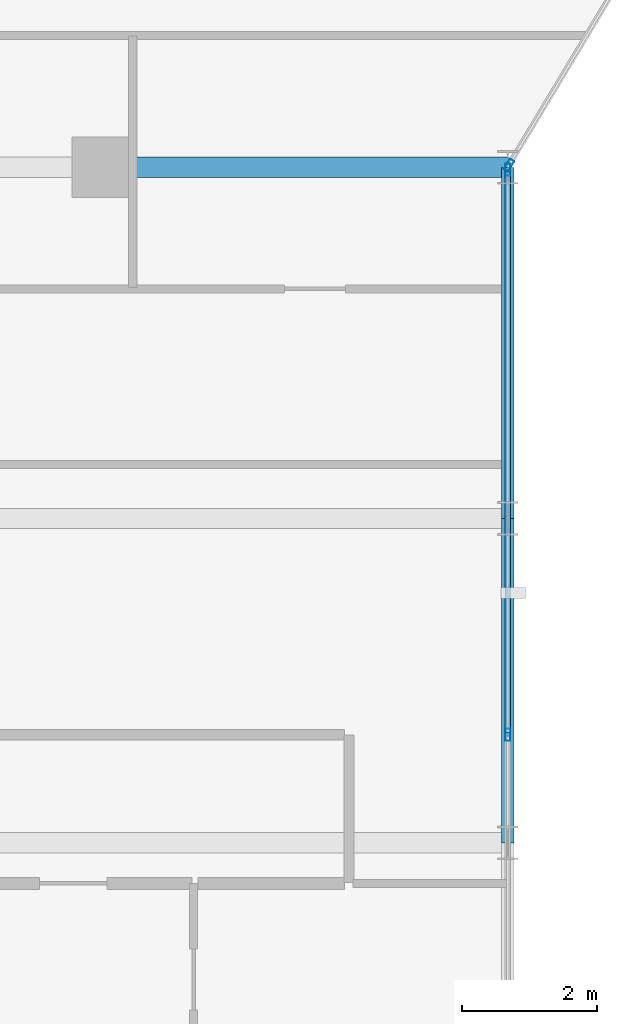
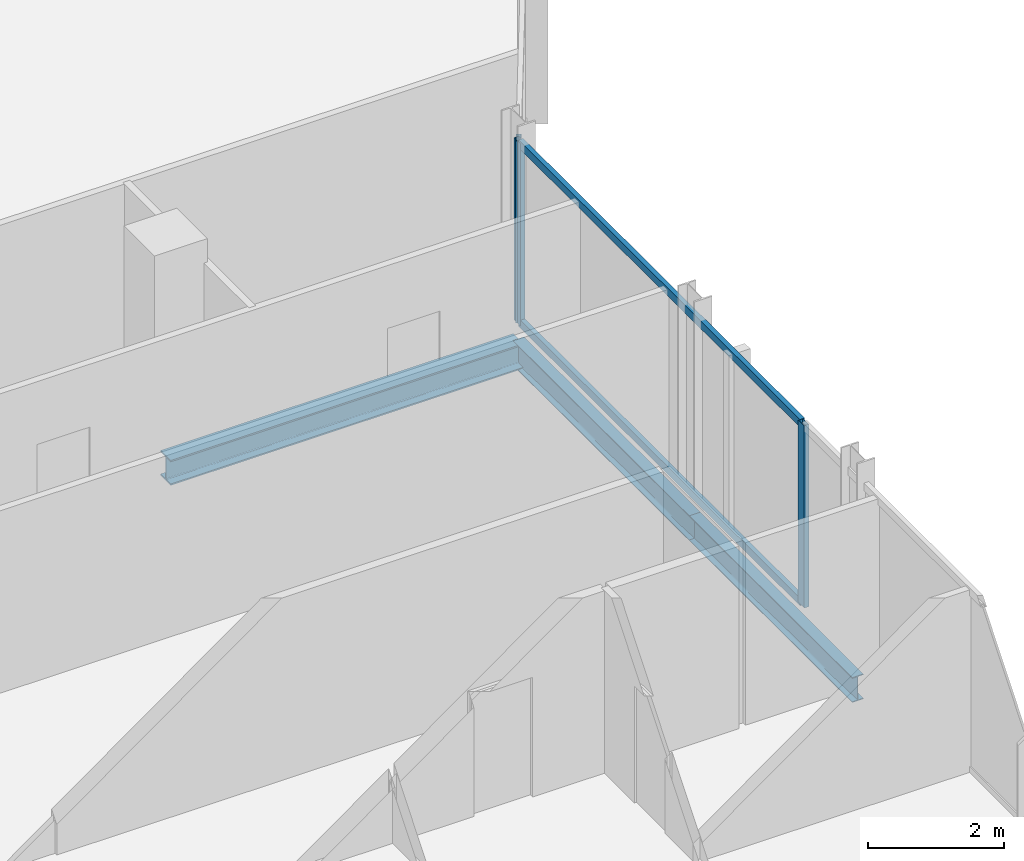
# One storey, part 13 of 31: 5 members, 3 beams, 2 elements without a shape of their own.
"""IFC4 building model written with IfcOpenShell, lengths in metres."""

from ifc_helpers import new_model, si_unit, direction, frame, origin, origin_2d, place, context, subcontext, project, spatial, hollow_rectangle, i_section, extrude, material, layer, layer_set, material_profile, profile_set, type_object, element, aggregate, save


model = new_model("IFC4")

# Units and contexts
model_context = context("Model", 3, precision=1e-05, world=origin(), true_north=direction((0.0, 1.0)))
body_context = subcontext(model_context, "Body", "Model", "MODEL_VIEW")
ifc_project = project(units=[si_unit("LENGTHUNIT", "METRE"), si_unit("AREAUNIT", "SQUARE_METRE"), si_unit("VOLUMEUNIT", "CUBIC_METRE"), si_unit("PLANEANGLEUNIT", "RADIAN"), si_unit("MASSUNIT", "GRAM", prefix="KILO")], contexts=[model_context])

# Site, building, storey
site_placement = place(None, origin())
site = spatial("IfcSite", under=ifc_project, at=site_placement, CompositionType="ELEMENT")
building_placement = place(site_placement, origin())
building = spatial("IfcBuilding", under=site, at=building_placement, Name="Keshet Zoharim Tower", CompositionType="ELEMENT")
storey_placement = place(building_placement, frame((0.0, 0.0, 155.699951171875)))
storey = spatial("IfcBuildingStorey", under=building, at=storey_placement, Name="L38", CompositionType="ELEMENT", Elevation=155.699951171875)

# Beams
ifc_material_1 = material(Name="Steel S355", Category="steel")
ifc_material_profile_1 = material_profile(ifc_material_1, i_section(OverallWidth=0.18994140625, OverallDepth=0.449951171875, WebThickness=0.009521484375, FlangeThickness=0.0146484375, FilletRadius=0.02099609375, at=origin_2d()), Name="IPE450")
ifc_profile_set_1 = profile_set([ifc_material_profile_1], Name="Steel S355")
beam_type_1 = type_object("IfcBeamType", Name="BM-PRI-IP450", PredefinedType="BEAM", material=ifc_profile_set_1)
beam_1_placement = place(storey_placement, frame((57.0, 17.89990234375, -0.5400390625), z_axis=(0.0, 1.0, 0.0), x_axis=(-1.0, 0.0, 0.0)))
element("IfcBeam", 1, at=beam_1_placement, inside=storey, type_object=beam_type_1, Name="L38 Primary Girder Y-015", PredefinedType="BEAM", context=body_context, shape_type="SweptSolid", body=[
    extrude(i_section(OverallWidth=0.18994140625, OverallDepth=0.449951171875, WebThickness=0.009521484375, FlangeThickness=0.0146484375, FilletRadius=0.02099609375, at=origin_2d()), origin(), (0.0, 0.0, 1.0), 4.800048828125),
])
beam_2_placement = place(storey_placement, frame((57.0, 22.699951171875, -0.5400390625), z_axis=(0.0, 1.0, 0.0), x_axis=(-1.0, 0.0, 0.0)))
element("IfcBeam", 2, at=beam_2_placement, inside=storey, type_object=beam_type_1, Name="L38 Primary Girder Y-016", PredefinedType="BEAM", context=body_context, shape_type="SweptSolid", body=[
    extrude(i_section(OverallWidth=0.18994140625, OverallDepth=0.449951171875, WebThickness=0.009521484375, FlangeThickness=0.0146484375, FilletRadius=0.02099609375, at=origin_2d()), origin(), (0.0, 0.0, 1.0), 5.199951171875),
])
ifc_material_profile_2 = material_profile(ifc_material_1, i_section(OverallWidth=0.300048828125, OverallDepth=0.449951171875, WebThickness=0.013916015625, FlangeThickness=0.02587890625, FilletRadius=0.027099609375, at=origin_2d()), Name="HEB450")
ifc_profile_set_2 = profile_set([ifc_material_profile_2], Name="Steel S355")
beam_type_2 = type_object("IfcBeamType", Name="BM-WEB-HB450", PredefinedType="BEAM", material=ifc_profile_set_2)
beam_3_placement = place(storey_placement, frame((51.0, 27.89990234375, -0.5400390625), z_axis=(1.0, 0.0, 0.0), x_axis=(0.0, 1.0, 0.0)))
element("IfcBeam", 3, at=beam_3_placement, inside=storey, type_object=beam_type_2, Name="L38 Primary Girder X-017", PredefinedType="BEAM", context=body_context, shape_type="SweptSolid", body=[
    extrude(i_section(OverallWidth=0.300048828125, OverallDepth=0.449951171875, WebThickness=0.013916015625, FlangeThickness=0.02587890625, FilletRadius=0.027099609375, at=origin_2d()), origin(), (0.0, 0.0, 1.0), 6.0),
])

# Curtain wall, member
ifc_material_2 = material(Name="Aluminium 6063-T6", Category="aluminium")
ifc_layer = layer(ifc_material_2, 0.159912109375)
ifc_layer_set = layer_set([ifc_layer], Name="Aluminium 6063-T6")
curtain_wall_type = type_object("IfcCurtainWallType", Name="CW-SYS-03", PredefinedType="NOTDEFINED", material=ifc_layer_set)
curtain_wall_1_placement = place(storey_placement, origin())
curtain_wall_1 = element("IfcCurtainWall", 4, at=curtain_wall_1_placement, inside=storey, type_object=curtain_wall_type, Name="L38 Unitised Curtain Wall 18", PredefinedType="NOTDEFINED")
ifc_material_profile_3 = material_profile(ifc_material_2, hollow_rectangle(XDim=0.080078125, YDim=0.179931640625, WallThickness=0.00439453125, at=origin_2d()), Name="MUL-80x180")
ifc_profile_set_3 = profile_set([ifc_material_profile_3], Name="Aluminium 6063-T6")
member_type_1 = type_object("IfcMemberType", Name="CWM-M18", PredefinedType="MULLION", material=ifc_profile_set_3)
member_1_placement = place(storey_placement, frame((57.01806640625, 27.929931640625, 0.0), z_axis=(0.0, 0.0, 1.0), x_axis=(0.857501477862, -0.514481501576, 0.0)))
member_1 = element("IfcMember", 5, at=member_1_placement, type_object=member_type_1, Name="CW-03 mullion 2", PredefinedType="MULLION", context=body_context, shape_type="SweptSolid", body=[
    extrude(hollow_rectangle(XDim=0.080078125, YDim=0.179931640625, WallThickness=0.00439453125, at=origin_2d()), origin(), (0.0, 0.0, 1.0), 3.280029296875),
])
aggregate(curtain_wall_1, [member_1])

# Curtain wall, members
curtain_wall_2_placement = place(storey_placement, origin())
curtain_wall_2 = element("IfcCurtainWall", 6, at=curtain_wall_2_placement, inside=storey, type_object=curtain_wall_type, Name="L38 Unitised Curtain Wall 19", PredefinedType="NOTDEFINED")
member_2_placement = place(storey_placement, frame((57.0, 27.864990234375, 0.0), z_axis=(0.0, 0.0, 1.0), x_axis=(1.0, 0.0, 0.0)))
member_2 = element("IfcMember", 7, at=member_2_placement, type_object=member_type_1, Name="CW-03 mullion 1", PredefinedType="MULLION", context=body_context, shape_type="SweptSolid", body=[
    extrude(hollow_rectangle(XDim=0.080078125, YDim=0.179931640625, WallThickness=0.00439453125, at=origin_2d()), origin(), (0.0, 0.0, 1.0), 3.280029296875),
])
member_3_placement = place(storey_placement, frame((57.0, 19.5, 0.0), z_axis=(0.0, 0.0, 1.0), x_axis=(1.0, 0.0, 0.0)))
member_3 = element("IfcMember", 8, at=member_3_placement, type_object=member_type_1, Name="CW-03 mullion 2", PredefinedType="MULLION", context=body_context, shape_type="SweptSolid", body=[
    extrude(hollow_rectangle(XDim=0.080078125, YDim=0.179931640625, WallThickness=0.00439453125, at=origin_2d()), origin(), (0.0, 0.0, 1.0), 3.280029296875),
])
ifc_material_profile_4 = material_profile(ifc_material_2, hollow_rectangle(XDim=0.080078125, YDim=0.139892578125, WallThickness=0.00390625, at=origin_2d()), Name="TRN-80x140")
ifc_profile_set_4 = profile_set([ifc_material_profile_4], Name="Aluminium 6063-T6")
member_type_2 = type_object("IfcMemberType", Name="CWT-T14", PredefinedType="USERDEFINED", material=ifc_profile_set_4)
member_4_placement = place(storey_placement, frame((57.0, 27.830078125, 0.03515625), z_axis=(0.0, -1.0, 0.0), x_axis=(1.0, 0.0, 0.0)))
member_4 = element("IfcMember", 9, at=member_4_placement, type_object=member_type_2, Name="CW-03 transom 1.1", ObjectType="TRANSOM", PredefinedType="USERDEFINED", context=body_context, shape_type="SweptSolid", body=[
    extrude(hollow_rectangle(XDim=0.080078125, YDim=0.139892578125, WallThickness=0.00390625, at=origin_2d()), origin(), (0.0, 0.0, 1.0), 8.295166015625),
])
member_5_placement = place(storey_placement, frame((57.0, 27.830078125, 3.2451171875), z_axis=(0.0, -1.0, 0.0), x_axis=(1.0, 0.0, 0.0)))
member_5 = element("IfcMember", 10, at=member_5_placement, type_object=member_type_2, Name="CW-03 transom 1.2", ObjectType="TRANSOM", PredefinedType="USERDEFINED", context=body_context, shape_type="SweptSolid", body=[
    extrude(hollow_rectangle(XDim=0.080078125, YDim=0.139892578125, WallThickness=0.00390625, at=origin_2d()), origin(), (0.0, 0.0, 1.0), 8.295166015625),
])
aggregate(curtain_wall_2, [member_2, member_3, member_4, member_5])

save(model, "model.ifc")
